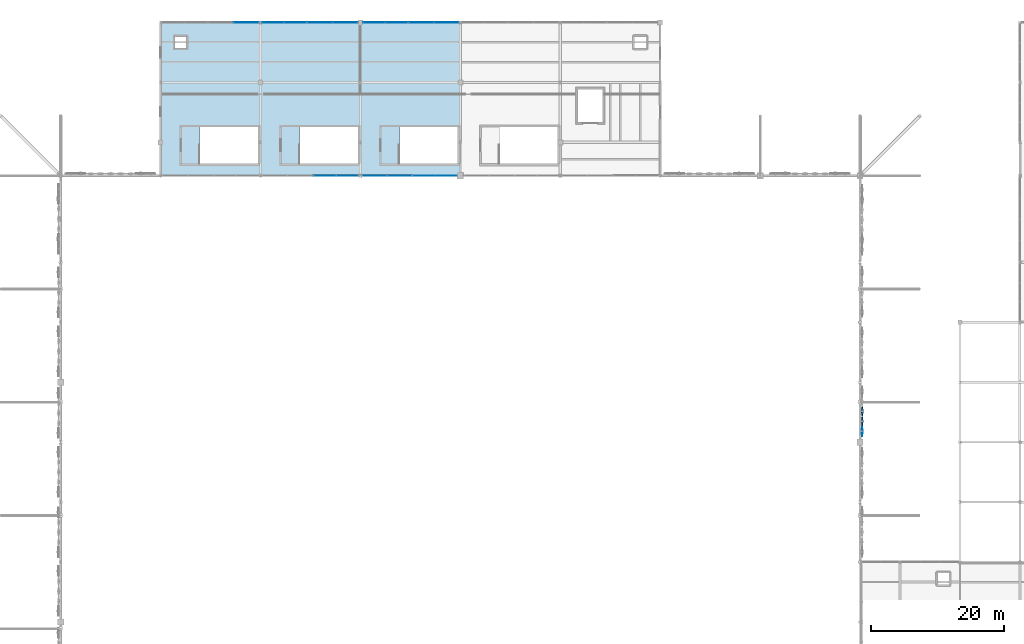
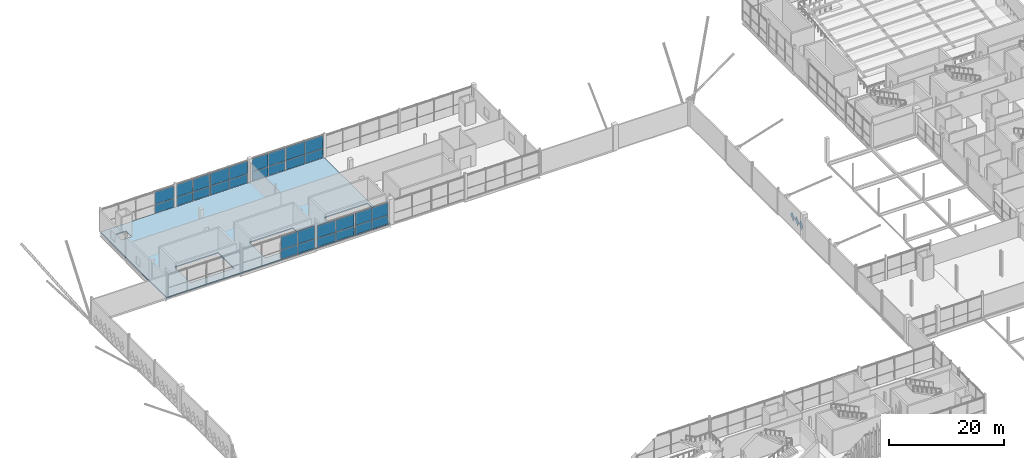
# One storey, part 74 of 119: 33 plates, 1 slab, 8 elements without a shape of their own.
"""IFC4 building model written with IfcOpenShell, lengths in metres."""

import ifcopenshell
import ifcopenshell.guid

model = None  # the IFC model being written
_history = None  # IfcOwnerHistory: only IFC2X3 demands one
_inside = {}  # id of a spatial element -> (the spatial element, [elements in it])
_under = {}  # id of a project, library or spatial element -> (it, [spatial elements below it])
_declared = {}  # id of a project -> (the project, [libraries it declares])
_typed = {}  # id of a type object -> (the type object, [elements of that type])
_made_of = {}  # id of a material, layer set ... -> (it, [elements and type objects made of it])


def new_model(schema):
    """Start an empty IFC model of exactly this schema.

    Asked for "IFC4X3", IfcOpenShell would pick the latest addendum, in which some entities
    have other attributes; the version numbers below select the first issue.
    IFC2X3 requires an IfcOwnerHistory on every rooted entity: one is made here for all.
    """
    global model, _history
    if schema == "IFC4X3":
        model = ifcopenshell.file(schema_version=(4, 3, 0, 0))
    else:
        model = ifcopenshell.file(schema=schema)
    _inside.clear()
    _under.clear()
    _declared.clear()
    _typed.clear()
    _made_of.clear()
    _history = None
    if model.schema == "IFC2X3":
        org = make("IfcOrganization", Name="unknown")
        user = make(
            "IfcPersonAndOrganization",
            ThePerson=make("IfcPerson", FamilyName="unknown"),
            TheOrganization=org,
        )
        app = make(
            "IfcApplication",
            ApplicationDeveloper=org,
            Version="unknown",
            ApplicationFullName="unknown",
            ApplicationIdentifier="unknown",
        )
        _history = make(
            "IfcOwnerHistory",
            OwningUser=user,
            OwningApplication=app,
            ChangeAction="ADDED",
            CreationDate=0,
        )
    return model


def make(cls, **values):
    """One entity of the class cls with the attributes given. An attribute that is None is left unset."""
    return model.create_entity(
        cls, **{name: value for name, value in values.items() if value is not None}
    )


def rooted(cls, **values):
    """An entity with a GlobalId (a new one), such as an element, a storey or a relation."""
    return make(cls, GlobalId=ifcopenshell.guid.new(), OwnerHistory=_history, **values)


def si_unit(unit_type, name, prefix=None):
    """IfcSIUnit, for example si_unit("LENGTHUNIT", "METRE", prefix="MILLI")."""
    return make("IfcSIUnit", UnitType=unit_type, Prefix=prefix, Name=name)


def assignment(units):
    """IfcUnitAssignment: the units of a project."""
    return None if units is None else make("IfcUnitAssignment", Units=units)


def point(xyz):
    """IfcCartesianPoint."""
    return None if xyz is None else make("IfcCartesianPoint", Coordinates=xyz)


def direction(xyz):
    """IfcDirection."""
    return None if xyz is None else make("IfcDirection", DirectionRatios=xyz)


def frame(location, z_axis=None, x_axis=None):
    """IfcAxis2Placement3D, a coordinate frame: its origin and axes. An axis left out is left unset."""
    return make(
        "IfcAxis2Placement3D",
        Location=point(location),
        Axis=direction(z_axis),
        RefDirection=direction(x_axis),
    )


def frame_2d(location, x_axis=None):
    """IfcAxis2Placement2D, a coordinate frame in the plane: its origin and x axis."""
    return make(
        "IfcAxis2Placement2D", Location=point(location), RefDirection=direction(x_axis)
    )


def origin():
    """The frame at (0, 0, 0) with its axes left unset."""
    return frame((0.0, 0.0, 0.0))


def origin_2d():
    """The frame at (0, 0) in the plane with its x axis left unset."""
    return frame_2d((0.0, 0.0))


def place(relative_to, where):
    """IfcLocalPlacement: puts the frame where relative to a parent placement (None: the world)."""
    return make(
        "IfcLocalPlacement", PlacementRelTo=relative_to, RelativePlacement=where
    )


def context(
    kind, dimensions, precision=None, world=None, true_north=None, identifier=None
):
    """IfcGeometricRepresentationContext, for example the 3D "Model" context."""
    return make(
        "IfcGeometricRepresentationContext",
        ContextIdentifier=identifier,
        ContextType=kind,
        CoordinateSpaceDimension=dimensions,
        Precision=precision,
        WorldCoordinateSystem=world,
        TrueNorth=true_north,
    )


def subcontext(parent, identifier, kind, view, scale=None):
    """IfcGeometricRepresentationSubContext, for example "Body" below "Model"."""
    return make(
        "IfcGeometricRepresentationSubContext",
        ContextIdentifier=identifier,
        ContextType=kind,
        ParentContext=parent,
        TargetScale=scale,
        TargetView=view,
    )


def project(units=None, contexts=None):
    """IfcProject with its units and contexts."""
    return rooted(
        "IfcProject",
        Name="project",
        RepresentationContexts=contexts,
        UnitsInContext=assignment(units),
    )


def spatial(cls, under=None, at=None, **own):
    """A site, building, storey or space (cls), placed at a placement, below another one or the project."""
    s = rooted(cls, ObjectPlacement=at, **own)
    if under is not None:
        _under.setdefault(under.id(), (under, []))[1].append(s)
    return s


def polyline(points):
    """IfcPolyline through the points."""
    return make("IfcPolyline", Points=[point(p) for p in points])


def profile(cls, at=None, kind="AREA", **sizes):
    """A parametric profile (cls). Its sizes go by their IFC names, for example OverallWidth=200.0."""
    return make(cls, ProfileType=kind, Position=at, **sizes)


def rectangle(**sizes):
    """IfcRectangleProfileDef."""
    return profile("IfcRectangleProfileDef", **sizes)


def outline(outer, holes=None, kind="AREA"):
    """IfcArbitraryClosedProfileDef: a profile drawn as a closed curve; with holes, ...WithVoids."""
    if holes is None:
        return make("IfcArbitraryClosedProfileDef", ProfileType=kind, OuterCurve=outer)
    return make(
        "IfcArbitraryProfileDefWithVoids",
        ProfileType=kind,
        OuterCurve=outer,
        InnerCurves=holes,
    )


def extrude(swept, where, along, depth):
    """IfcExtrudedAreaSolid: the profile swept, set in the frame where, extruded along a direction by depth."""
    return make(
        "IfcExtrudedAreaSolid",
        SweptArea=swept,
        Position=where,
        ExtrudedDirection=direction(along),
        Depth=depth,
    )


def shape(context_of_items, identifier, shape_type, items):
    """IfcShapeRepresentation: the items that make up one representation, for example the "Body"."""
    return make(
        "IfcShapeRepresentation",
        ContextOfItems=context_of_items,
        RepresentationIdentifier=identifier,
        RepresentationType=shape_type,
        Items=items,
    )


def material(Name=None, Category=None):
    """IfcMaterial."""
    return make("IfcMaterial", Name=Name, Category=Category)


def layer(
    of_material, thickness, ventilated=None, Name=None, Category=None, Priority=None
):
    """IfcMaterialLayer: one layer of a wall or slab, of a material (None: an air gap)."""
    return make(
        "IfcMaterialLayer",
        Material=of_material,
        LayerThickness=thickness,
        IsVentilated=ventilated,
        Name=Name,
        Category=Category,
        Priority=Priority,
    )


def layer_set(layers, Name=None):
    """IfcMaterialLayerSet."""
    return make("IfcMaterialLayerSet", MaterialLayers=layers, LayerSetName=Name)


def made_of(thing, what):
    """Note that an element or type object is made of a material, layer set ...; save() writes the relation."""
    if what is not None:
        _made_of.setdefault(what.id(), (what, []))[1].append(thing)
    return thing


def type_object(cls, material=None, **own):
    """A type object (cls), such as IfcWallType, which elements share."""
    return made_of(rooted(cls, **own), material)


def element(
    cls,
    number,
    at=None,
    inside=None,
    cuts=None,
    type_object=None,
    material=None,
    context=None,
    identifier="Body",
    shape_type=None,
    held_by="IfcProductDefinitionShape",
    body=None,
    shapes=None,
    **own,
):
    """One element of the class cls, such as IfcWall. Its Tag is "e" and its number.

    at: its placement. inside: the storey or other place that contains it. cuts: it is an
    opening in that element (IfcRelVoidsElement). A single representation is given by context,
    identifier, shape_type and body (its items); several are given by shapes. held_by: the class
    of the entity that holds the representations. save() writes the other relations.
    """
    e = rooted(cls, Tag="e%d" % number, ObjectPlacement=at, **own)
    if body is not None:
        shapes = [shape(context, identifier, shape_type, body)]
    if shapes is not None:
        e.Representation = make(held_by, Representations=shapes)
    if inside is not None:
        _inside.setdefault(inside.id(), (inside, []))[1].append(e)
    if cuts is not None:
        rooted(
            "IfcRelVoidsElement", RelatingBuildingElement=cuts, RelatedOpeningElement=e
        )
    if type_object is not None:
        _typed.setdefault(type_object.id(), (type_object, []))[1].append(e)
    return made_of(e, material)


def aggregate(whole, parts):
    """IfcRelAggregates: a whole, such as a stair, and the parts it consists of."""
    return rooted("IfcRelAggregates", RelatingObject=whole, RelatedObjects=parts)


def save(model, path):
    """Write the relations noted so far, then the file.

    IfcRelAggregates (storeys below a building ...), IfcRelContainedInSpatialStructure (elements
    in a storey), IfcRelDefinesByType, IfcRelAssociatesMaterial and IfcRelDeclares: one each for
    every whole, place, type object, material and project.
    """
    for whole, parts in _under.values():
        aggregate(whole, parts)
    for where, things in _inside.values():
        rooted(
            "IfcRelContainedInSpatialStructure",
            RelatedElements=things,
            RelatingStructure=where,
        )
    for kind, things in _typed.values():
        rooted("IfcRelDefinesByType", RelatedObjects=things, RelatingType=kind)
    for what, things in _made_of.values():
        rooted("IfcRelAssociatesMaterial", RelatedObjects=things, RelatingMaterial=what)
    for by, libraries in _declared.values():
        rooted("IfcRelDeclares", RelatingContext=by, RelatedDefinitions=libraries)
    model.write(path)


model = new_model("IFC4")

# Units and contexts
model_context = context("Model", 3, precision=1e-05, world=origin(), true_north=direction((0.0, 1.0)))
body_context = subcontext(model_context, "Body", "Model", "MODEL_VIEW")
ifc_project = project(units=[si_unit("LENGTHUNIT", "METRE"), si_unit("AREAUNIT", "SQUARE_METRE"), si_unit("VOLUMEUNIT", "CUBIC_METRE"), si_unit("PLANEANGLEUNIT", "RADIAN"), si_unit("MASSUNIT", "GRAM", prefix="KILO")], contexts=[model_context])

# Site, building, storey
site_placement = place(None, origin())
site = spatial("IfcSite", under=ifc_project, at=site_placement, CompositionType="ELEMENT")
building_placement = place(site_placement, origin())
building = spatial("IfcBuilding", under=site, at=building_placement, Name="Qamarlyn Nura Convention Centre", CompositionType="ELEMENT")
storey_placement = place(building_placement, frame((0.0, 0.0, 5.39990234375)))
storey = spatial("IfcBuildingStorey", under=building, at=storey_placement, Name="L01", CompositionType="ELEMENT", Elevation=5.39990234375)

# Curtain wall, plates
ifc_material_1 = material(Name="Double-silver low-E insulated glass", Category="glass")
ifc_layer_1 = layer(ifc_material_1, 0.179931640625, Name="CW-UNIT-35")
ifc_layer_set_1 = layer_set([ifc_layer_1], Name="Double-silver low-E insulated glass")
curtain_wall_type_1 = type_object("IfcCurtainWallType", Name="CW-UNIT-35", PredefinedType="NOTDEFINED", material=ifc_layer_set_1)
curtain_wall_1_placement = place(storey_placement, origin())
curtain_wall_1 = element("IfcCurtainWall", 1, at=curtain_wall_1_placement, inside=storey, type_object=curtain_wall_type_1, Name="L01 unitised curtain wall NS-INT-2-1A", PredefinedType="NOTDEFINED")
ifc_layer_2 = layer(ifc_material_1, 0.028076171875, Name="CWP-VIS-28")
ifc_layer_set_2 = layer_set([ifc_layer_2], Name="Double-silver low-E insulated glass")
plate_type_1 = type_object("IfcPlateType", Name="CWP-VIS-28", PredefinedType="CURTAIN_PANEL", material=ifc_layer_set_2)
plate_1_placement = place(storey_placement, frame((43.02978515625, 103.0, 0.0703125), z_axis=(0.0, 0.0, 1.0), x_axis=(-1.0, 0.0, 0.0)))
plate_1 = element("IfcPlate", 2, at=plate_1_placement, type_object=plate_type_1, Name="CW35 panel 1.1", PredefinedType="CURTAIN_PANEL", context=body_context, shape_type="SweptSolid", body=[
    extrude(rectangle(XDim=3.29248046875, YDim=0.028076171875, at=origin_2d()), origin(), (0.0, 0.0, 1.0), 1.948974609375),
])
plate_2_placement = place(storey_placement, frame((43.02978515625, 103.0, 2.089111328125), z_axis=(0.0, 0.0, 1.0), x_axis=(-1.0, 0.0, 0.0)))
plate_2 = element("IfcPlate", 3, at=plate_2_placement, type_object=plate_type_1, Name="CW35 panel 1.2", PredefinedType="CURTAIN_PANEL", context=body_context, shape_type="SweptSolid", body=[
    extrude(rectangle(XDim=3.29248046875, YDim=0.028076171875, at=origin_2d()), origin(), (0.0, 0.0, 1.0), 2.73095703125),
])
plate_3_placement = place(storey_placement, frame((39.667236328125, 103.0, 0.0703125), z_axis=(0.0, 0.0, 1.0), x_axis=(-1.0, 0.0, 0.0)))
plate_3 = element("IfcPlate", 4, at=plate_3_placement, type_object=plate_type_1, Name="CW35 panel 2.1", PredefinedType="CURTAIN_PANEL", context=body_context, shape_type="SweptSolid", body=[
    extrude(rectangle(XDim=3.29248046875, YDim=0.028076171875, at=origin_2d()), origin(), (0.0, 0.0, 1.0), 1.948974609375),
])
plate_4_placement = place(storey_placement, frame((39.667236328125, 103.0, 2.089111328125), z_axis=(0.0, 0.0, 1.0), x_axis=(-1.0, 0.0, 0.0)))
plate_4 = element("IfcPlate", 5, at=plate_4_placement, type_object=plate_type_1, Name="CW35 panel 2.2", PredefinedType="CURTAIN_PANEL", context=body_context, shape_type="SweptSolid", body=[
    extrude(rectangle(XDim=3.29248046875, YDim=0.028076171875, at=origin_2d()), origin(), (0.0, 0.0, 1.0), 2.73095703125),
])
aggregate(curtain_wall_1, [plate_1, plate_2, plate_3, plate_4])

ifc_layer_3 = layer(ifc_material_1, 0.179931640625, Name="CW-UNIT-37")
ifc_layer_set_3 = layer_set([ifc_layer_3], Name="Double-silver low-E insulated glass")
curtain_wall_type_2 = type_object("IfcCurtainWallType", Name="CW-UNIT-37", PredefinedType="NOTDEFINED", material=ifc_layer_set_3)
curtain_wall_2_placement = place(storey_placement, origin())
curtain_wall_2 = element("IfcCurtainWall", 6, at=curtain_wall_2_placement, inside=storey, type_object=curtain_wall_type_2, Name="L01 unitised curtain wall NS-INT-3-1A", PredefinedType="NOTDEFINED")
plate_5_placement = place(storey_placement, frame((57.84326171875, 103.0, 0.06005859375), z_axis=(0.0, 0.0, 1.0), x_axis=(-1.0, 0.0, 0.0)))
plate_5 = element("IfcPlate", 7, at=plate_5_placement, type_object=plate_type_1, Name="CW37 panel 1.1", PredefinedType="CURTAIN_PANEL", context=body_context, shape_type="SweptSolid", body=[
    extrude(rectangle(XDim=3.24365234375, YDim=0.028076171875, at=origin_2d()), origin(), (0.0, 0.0, 1.0), 1.863037109375),
])
plate_6_placement = place(storey_placement, frame((57.84326171875, 103.0, 1.983154296875), z_axis=(0.0, 0.0, 1.0), x_axis=(-1.0, 0.0, 0.0)))
plate_6 = element("IfcPlate", 8, at=plate_6_placement, type_object=plate_type_1, Name="CW37 panel 1.2", PredefinedType="CURTAIN_PANEL", context=body_context, shape_type="SweptSolid", body=[
    extrude(rectangle(XDim=3.24365234375, YDim=0.028076171875, at=origin_2d()), origin(), (0.0, 0.0, 1.0), 2.60791015625),
])
plate_7_placement = place(storey_placement, frame((54.53955078125, 103.0, 0.06005859375), z_axis=(0.0, 0.0, 1.0), x_axis=(-1.0, 0.0, 0.0)))
plate_7 = element("IfcPlate", 9, at=plate_7_placement, type_object=plate_type_1, Name="CW37 panel 2.1", PredefinedType="CURTAIN_PANEL", context=body_context, shape_type="SweptSolid", body=[
    extrude(rectangle(XDim=3.24365234375, YDim=0.028076171875, at=origin_2d()), origin(), (0.0, 0.0, 1.0), 1.863037109375),
])
plate_8_placement = place(storey_placement, frame((54.53955078125, 103.0, 1.983154296875), z_axis=(0.0, 0.0, 1.0), x_axis=(-1.0, 0.0, 0.0)))
plate_8 = element("IfcPlate", 10, at=plate_8_placement, type_object=plate_type_1, Name="CW37 panel 2.2", PredefinedType="CURTAIN_PANEL", context=body_context, shape_type="SweptSolid", body=[
    extrude(rectangle(XDim=3.24365234375, YDim=0.028076171875, at=origin_2d()), origin(), (0.0, 0.0, 1.0), 2.60791015625),
])
aggregate(curtain_wall_2, [plate_5, plate_6, plate_7, plate_8])

ifc_layer_4 = layer(ifc_material_1, 0.179931640625, Name="CW-UNIT-38")
ifc_layer_set_4 = layer_set([ifc_layer_4], Name="Double-silver low-E insulated glass")
curtain_wall_type_3 = type_object("IfcCurtainWallType", Name="CW-UNIT-38", PredefinedType="NOTDEFINED", material=ifc_layer_set_4)
curtain_wall_3_placement = place(storey_placement, origin())
curtain_wall_3 = element("IfcCurtainWall", 11, at=curtain_wall_3_placement, inside=storey, type_object=curtain_wall_type_3, Name="L01 unitised curtain wall NS-INT-3-1B", PredefinedType="NOTDEFINED")
plate_9_placement = place(storey_placement, frame((50.879150390625, 103.0, 0.0703125), z_axis=(0.0, 0.0, 1.0), x_axis=(-1.0, 0.0, 0.0)))
plate_9 = element("IfcPlate", 12, at=plate_9_placement, type_object=plate_type_1, Name="CW38 panel 1.1", PredefinedType="CURTAIN_PANEL", context=body_context, shape_type="SweptSolid", body=[
    extrude(rectangle(XDim=3.65673828125, YDim=0.028076171875, at=origin_2d()), origin(), (0.0, 0.0, 1.0), 1.847900390625),
])
plate_10_placement = place(storey_placement, frame((50.879150390625, 103.0, 1.98828125), z_axis=(0.0, 0.0, 1.0), x_axis=(-1.0, 0.0, 0.0)))
plate_10 = element("IfcPlate", 13, at=plate_10_placement, type_object=plate_type_1, Name="CW38 panel 1.2", PredefinedType="CURTAIN_PANEL", context=body_context, shape_type="SweptSolid", body=[
    extrude(rectangle(XDim=3.65673828125, YDim=0.028076171875, at=origin_2d()), origin(), (0.0, 0.0, 1.0), 2.593017578125),
])
plate_11_placement = place(storey_placement, frame((47.15234375, 103.0, 0.0703125), z_axis=(0.0, 0.0, 1.0), x_axis=(-1.0, 0.0, 0.0)))
plate_11 = element("IfcPlate", 14, at=plate_11_placement, type_object=plate_type_1, Name="CW38 panel 2.1", PredefinedType="CURTAIN_PANEL", context=body_context, shape_type="SweptSolid", body=[
    extrude(rectangle(XDim=3.65673828125, YDim=0.028076171875, at=origin_2d()), origin(), (0.0, 0.0, 1.0), 1.847900390625),
])
plate_12_placement = place(storey_placement, frame((47.15234375, 103.0, 1.98828125), z_axis=(0.0, 0.0, 1.0), x_axis=(-1.0, 0.0, 0.0)))
plate_12 = element("IfcPlate", 15, at=plate_12_placement, type_object=plate_type_1, Name="CW38 panel 2.2", PredefinedType="CURTAIN_PANEL", context=body_context, shape_type="SweptSolid", body=[
    extrude(rectangle(XDim=3.65673828125, YDim=0.028076171875, at=origin_2d()), origin(), (0.0, 0.0, 1.0), 2.593017578125),
])
aggregate(curtain_wall_3, [plate_9, plate_10, plate_11, plate_12])

ifc_layer_5 = layer(ifc_material_1, 0.179931640625, Name="CW-UNIT-45")
ifc_layer_set_5 = layer_set([ifc_layer_5], Name="Double-silver low-E insulated glass")
curtain_wall_type_4 = type_object("IfcCurtainWallType", Name="CW-UNIT-45", PredefinedType="NOTDEFINED", material=ifc_layer_set_5)
curtain_wall_4_placement = place(storey_placement, origin())
curtain_wall_4 = element("IfcCurtainWall", 16, at=curtain_wall_4_placement, inside=storey, type_object=curtain_wall_type_4, Name="L01 unitised curtain wall NS-N2-1A", PredefinedType="NOTDEFINED")
plate_13_placement = place(storey_placement, frame((31.8896484375, 126.0, 0.06494140625), z_axis=(0.0, 0.0, 1.0), x_axis=(1.0, 0.0, 0.0)))
plate_13 = element("IfcPlate", 17, at=plate_13_placement, type_object=plate_type_1, Name="CW45 panel 1.1", PredefinedType="CURTAIN_PANEL", context=body_context, shape_type="SweptSolid", body=[
    extrude(rectangle(XDim=3.275390625, YDim=0.028076171875, at=origin_2d()), origin(), (0.0, 0.0, 1.0), 1.886474609375),
])
plate_14_placement = place(storey_placement, frame((31.8896484375, 126.0, 2.0166015625), z_axis=(0.0, 0.0, 1.0), x_axis=(1.0, 0.0, 0.0)))
plate_14 = element("IfcPlate", 18, at=plate_14_placement, type_object=plate_type_1, Name="CW45 panel 1.2", PredefinedType="CURTAIN_PANEL", context=body_context, shape_type="SweptSolid", body=[
    extrude(rectangle(XDim=3.275390625, YDim=0.028076171875, at=origin_2d()), origin(), (0.0, 0.0, 1.0), 2.642578125),
])
plate_15_placement = place(storey_placement, frame((35.230224609375, 126.0, 0.06494140625), z_axis=(0.0, 0.0, 1.0), x_axis=(1.0, 0.0, 0.0)))
plate_15 = element("IfcPlate", 19, at=plate_15_placement, type_object=plate_type_1, Name="CW45 panel 2.1", PredefinedType="CURTAIN_PANEL", context=body_context, shape_type="SweptSolid", body=[
    extrude(rectangle(XDim=3.275390625, YDim=0.028076171875, at=origin_2d()), origin(), (0.0, 0.0, 1.0), 1.886474609375),
])
plate_16_placement = place(storey_placement, frame((35.230224609375, 126.0, 2.0166015625), z_axis=(0.0, 0.0, 1.0), x_axis=(1.0, 0.0, 0.0)))
plate_16 = element("IfcPlate", 20, at=plate_16_placement, type_object=plate_type_1, Name="CW45 panel 2.2", PredefinedType="CURTAIN_PANEL", context=body_context, shape_type="SweptSolid", body=[
    extrude(rectangle(XDim=3.275390625, YDim=0.028076171875, at=origin_2d()), origin(), (0.0, 0.0, 1.0), 2.642578125),
])
aggregate(curtain_wall_4, [plate_13, plate_14, plate_15, plate_16])

ifc_layer_6 = layer(ifc_material_1, 0.179931640625, Name="CW-UNIT-46")
ifc_layer_set_6 = layer_set([ifc_layer_6], Name="Double-silver low-E insulated glass")
curtain_wall_type_5 = type_object("IfcCurtainWallType", Name="CW-UNIT-46", PredefinedType="NOTDEFINED", material=ifc_layer_set_6)
curtain_wall_5_placement = place(storey_placement, origin())
curtain_wall_5 = element("IfcCurtainWall", 21, at=curtain_wall_5_placement, inside=storey, type_object=curtain_wall_type_5, Name="L01 unitised curtain wall NS-N2-1B", PredefinedType="NOTDEFINED")
plate_17_placement = place(storey_placement, frame((38.930908203125, 126.0, 0.06005859375), z_axis=(0.0, 0.0, 1.0), x_axis=(1.0, 0.0, 0.0)))
plate_17 = element("IfcPlate", 22, at=plate_17_placement, type_object=plate_type_1, Name="CW46 panel 1.1", PredefinedType="CURTAIN_PANEL", context=body_context, shape_type="SweptSolid", body=[
    extrude(rectangle(XDim=3.716064453125, YDim=0.028076171875, at=origin_2d()), origin(), (0.0, 0.0, 1.0), 1.89404296875),
])
plate_18_placement = place(storey_placement, frame((38.930908203125, 126.0, 2.01416015625), z_axis=(0.0, 0.0, 1.0), x_axis=(1.0, 0.0, 0.0)))
plate_18 = element("IfcPlate", 23, at=plate_18_placement, type_object=plate_type_1, Name="CW46 panel 1.2", PredefinedType="CURTAIN_PANEL", context=body_context, shape_type="SweptSolid", body=[
    extrude(rectangle(XDim=3.716064453125, YDim=0.028076171875, at=origin_2d()), origin(), (0.0, 0.0, 1.0), 2.64990234375),
])
plate_19_placement = place(storey_placement, frame((42.70703125, 126.0, 0.06005859375), z_axis=(0.0, 0.0, 1.0), x_axis=(1.0, 0.0, 0.0)))
plate_19 = element("IfcPlate", 24, at=plate_19_placement, type_object=plate_type_1, Name="CW46 panel 2.1", PredefinedType="CURTAIN_PANEL", context=body_context, shape_type="SweptSolid", body=[
    extrude(rectangle(XDim=3.716064453125, YDim=0.028076171875, at=origin_2d()), origin(), (0.0, 0.0, 1.0), 1.89404296875),
])
plate_20_placement = place(storey_placement, frame((42.70703125, 126.0, 2.01416015625), z_axis=(0.0, 0.0, 1.0), x_axis=(1.0, 0.0, 0.0)))
plate_20 = element("IfcPlate", 25, at=plate_20_placement, type_object=plate_type_1, Name="CW46 panel 2.2", PredefinedType="CURTAIN_PANEL", context=body_context, shape_type="SweptSolid", body=[
    extrude(rectangle(XDim=3.716064453125, YDim=0.028076171875, at=origin_2d()), origin(), (0.0, 0.0, 1.0), 2.64990234375),
])
aggregate(curtain_wall_5, [plate_17, plate_18, plate_19, plate_20])

ifc_layer_7 = layer(ifc_material_1, 0.179931640625, Name="CW-UNIT-47")
ifc_layer_set_7 = layer_set([ifc_layer_7], Name="Double-silver low-E insulated glass")
curtain_wall_type_6 = type_object("IfcCurtainWallType", Name="CW-UNIT-47", PredefinedType="NOTDEFINED", material=ifc_layer_set_7)
curtain_wall_6_placement = place(storey_placement, origin())
curtain_wall_6 = element("IfcCurtainWall", 26, at=curtain_wall_6_placement, inside=storey, type_object=curtain_wall_type_6, Name="L01 unitised curtain wall NS-N3-1A", PredefinedType="NOTDEFINED")
plate_21_placement = place(storey_placement, frame((47.078857421875, 126.0, 0.0703125), z_axis=(0.0, 0.0, 1.0), x_axis=(1.0, 0.0, 0.0)))
plate_21 = element("IfcPlate", 27, at=plate_21_placement, type_object=plate_type_1, Name="CW47 panel 1.1", PredefinedType="CURTAIN_PANEL", context=body_context, shape_type="SweptSolid", body=[
    extrude(rectangle(XDim=3.26806640625, YDim=0.028076171875, at=origin_2d()), origin(), (0.0, 0.0, 1.0), 1.948974609375),
])
plate_22_placement = place(storey_placement, frame((47.078857421875, 126.0, 2.089111328125), z_axis=(0.0, 0.0, 1.0), x_axis=(1.0, 0.0, 0.0)))
plate_22 = element("IfcPlate", 28, at=plate_22_placement, type_object=plate_type_1, Name="CW47 panel 1.2", PredefinedType="CURTAIN_PANEL", context=body_context, shape_type="SweptSolid", body=[
    extrude(rectangle(XDim=3.26806640625, YDim=0.028076171875, at=origin_2d()), origin(), (0.0, 0.0, 1.0), 2.73095703125),
])
plate_23_placement = place(storey_placement, frame((50.4169921875, 126.0, 0.0703125), z_axis=(0.0, 0.0, 1.0), x_axis=(1.0, 0.0, 0.0)))
plate_23 = element("IfcPlate", 29, at=plate_23_placement, type_object=plate_type_1, Name="CW47 panel 2.1", PredefinedType="CURTAIN_PANEL", context=body_context, shape_type="SweptSolid", body=[
    extrude(rectangle(XDim=3.26806640625, YDim=0.028076171875, at=origin_2d()), origin(), (0.0, 0.0, 1.0), 1.948974609375),
])
plate_24_placement = place(storey_placement, frame((50.4169921875, 126.0, 2.089111328125), z_axis=(0.0, 0.0, 1.0), x_axis=(1.0, 0.0, 0.0)))
plate_24 = element("IfcPlate", 30, at=plate_24_placement, type_object=plate_type_1, Name="CW47 panel 2.2", PredefinedType="CURTAIN_PANEL", context=body_context, shape_type="SweptSolid", body=[
    extrude(rectangle(XDim=3.26806640625, YDim=0.028076171875, at=origin_2d()), origin(), (0.0, 0.0, 1.0), 2.73095703125),
])
aggregate(curtain_wall_6, [plate_21, plate_22, plate_23, plate_24])

ifc_layer_8 = layer(ifc_material_1, 0.179931640625, Name="CW-UNIT-44")
ifc_layer_set_8 = layer_set([ifc_layer_8], Name="Double-silver low-E insulated glass")
curtain_wall_type_7 = type_object("IfcCurtainWallType", Name="CW-UNIT-44", PredefinedType="NOTDEFINED", material=ifc_layer_set_8)
curtain_wall_7_placement = place(storey_placement, origin())
curtain_wall_7 = element("IfcCurtainWall", 31, at=curtain_wall_7_placement, inside=storey, type_object=curtain_wall_type_7, Name="L01 unitised curtain wall NS-N1-1B", PredefinedType="NOTDEFINED")
ifc_layer_9 = layer(ifc_material_1, 0.031982421875, Name="CWP-VIS-32")
ifc_layer_set_9 = layer_set([ifc_layer_9], Name="Double-silver low-E insulated glass")
plate_type_2 = type_object("IfcPlateType", Name="CWP-VIS-32", PredefinedType="CURTAIN_PANEL", material=ifc_layer_set_9)
plate_25_placement = place(storey_placement, frame((27.863037109375, 126.0, 0.0703125), z_axis=(0.0, 0.0, 1.0), x_axis=(1.0, 0.0, 0.0)))
plate_25 = element("IfcPlate", 32, at=plate_25_placement, type_object=plate_type_2, Name="CW44 panel 2.1", PredefinedType="CURTAIN_PANEL", context=body_context, shape_type="SweptSolid", body=[
    extrude(rectangle(XDim=3.760009765625, YDim=0.031982421875, at=origin_2d()), origin(), (0.0, 0.0, 1.0), 1.847900390625),
])
plate_26_placement = place(storey_placement, frame((27.863037109375, 126.0, 1.98828125), z_axis=(0.0, 0.0, 1.0), x_axis=(1.0, 0.0, 0.0)))
plate_26 = element("IfcPlate", 33, at=plate_26_placement, type_object=plate_type_2, Name="CW44 panel 2.2", PredefinedType="CURTAIN_PANEL", context=body_context, shape_type="SweptSolid", body=[
    extrude(rectangle(XDim=3.760009765625, YDim=0.031982421875, at=origin_2d()), origin(), (0.0, 0.0, 1.0), 2.593017578125),
])
aggregate(curtain_wall_7, [plate_25, plate_26])

ifc_layer_10 = layer(ifc_material_1, 0.179931640625, Name="CW-UNIT-48")
ifc_layer_set_10 = layer_set([ifc_layer_10], Name="Double-silver low-E insulated glass")
curtain_wall_type_8 = type_object("IfcCurtainWallType", Name="CW-UNIT-48", PredefinedType="NOTDEFINED", material=ifc_layer_set_10)
curtain_wall_8_placement = place(storey_placement, origin())
curtain_wall_8 = element("IfcCurtainWall", 34, at=curtain_wall_8_placement, inside=storey, type_object=curtain_wall_type_8, Name="L01 unitised curtain wall NS-N3-1B", PredefinedType="NOTDEFINED")
plate_27_placement = place(storey_placement, frame((54.1201171875, 126.0, 0.065185546875), z_axis=(0.0, 0.0, 1.0), x_axis=(1.0, 0.0, 0.0)))
plate_27 = element("IfcPlate", 35, at=plate_27_placement, type_object=plate_type_2, Name="CW48 panel 1.1", PredefinedType="CURTAIN_PANEL", context=body_context, shape_type="SweptSolid", body=[
    extrude(rectangle(XDim=3.70849609375, YDim=0.031982421875, at=origin_2d()), origin(), (0.0, 0.0, 1.0), 1.95654296875),
])
plate_28_placement = place(storey_placement, frame((54.1201171875, 126.0, 2.08642578125), z_axis=(0.0, 0.0, 1.0), x_axis=(1.0, 0.0, 0.0)))
plate_28 = element("IfcPlate", 36, at=plate_28_placement, type_object=plate_type_2, Name="CW48 panel 1.2", PredefinedType="CURTAIN_PANEL", context=body_context, shape_type="SweptSolid", body=[
    extrude(rectangle(XDim=3.70849609375, YDim=0.031982421875, at=origin_2d()), origin(), (0.0, 0.0, 1.0), 2.738525390625),
])
plate_29_placement = place(storey_placement, frame((57.893798828125, 126.0, 0.065185546875), z_axis=(0.0, 0.0, 1.0), x_axis=(1.0, 0.0, 0.0)))
plate_29 = element("IfcPlate", 37, at=plate_29_placement, type_object=plate_type_2, Name="CW48 panel 2.1", PredefinedType="CURTAIN_PANEL", context=body_context, shape_type="SweptSolid", body=[
    extrude(rectangle(XDim=3.70849609375, YDim=0.031982421875, at=origin_2d()), origin(), (0.0, 0.0, 1.0), 1.95654296875),
])
plate_30_placement = place(storey_placement, frame((57.893798828125, 126.0, 2.08642578125), z_axis=(0.0, 0.0, 1.0), x_axis=(1.0, 0.0, 0.0)))
plate_30 = element("IfcPlate", 38, at=plate_30_placement, type_object=plate_type_2, Name="CW48 panel 2.2", PredefinedType="CURTAIN_PANEL", context=body_context, shape_type="SweptSolid", body=[
    extrude(rectangle(XDim=3.70849609375, YDim=0.031982421875, at=origin_2d()), origin(), (0.0, 0.0, 1.0), 2.738525390625),
])
aggregate(curtain_wall_8, [plate_27, plate_28, plate_29, plate_30])

# Plates
ifc_material_2 = material(Name="White high-albedo PVDF aluminium composite sheet", Category="aluminium")
ifc_layer_11 = layer(ifc_material_2, 0.02392578125, Name="FP-DIAM-03")
ifc_layer_set_11 = layer_set([ifc_layer_11], Name="White high-albedo PVDF aluminium composite sheet")
plate_type_3 = type_object("IfcPlateType", Name="FP-DIAM-03", PredefinedType="SHEET", material=ifc_layer_set_11)
plate_31_placement = place(storey_placement, frame((120.31005859375, 64.635986328125, 1.7001953125), z_axis=(0.998059468659, 0.0, 0.062267945373), x_axis=(0.0, 1.0, 0.0)))
element("IfcPlate", 39, at=plate_31_placement, inside=storey, type_object=plate_type_3, Name="L01 pivoted white diamond facade tile 0177", PredefinedType="SHEET", context=body_context, shape_type="SweptSolid", body=[
    extrude(outline(polyline([(-0.719970703125, 0.0), (0.0, -1.050048828125), (0.719970703125, 0.0), (0.0, 1.050048828125), (-0.719970703125, 0.0)])), origin(), (0.0, 0.0, 1.0), 0.02392578125),
])
ifc_layer_12 = layer(ifc_material_2, 0.0380859375, Name="FP-DIAM-07")
ifc_layer_set_12 = layer_set([ifc_layer_12], Name="White high-albedo PVDF aluminium composite sheet")
plate_type_4 = type_object("IfcPlateType", Name="FP-DIAM-07", PredefinedType="SHEET", material=ifc_layer_set_12)
plate_32_placement = place(storey_placement, frame((120.31005859375, 66.135986328125, 1.7001953125), z_axis=(0.99271534578, 0.0, 0.120483369194), x_axis=(0.0, 1.0, 0.0)))
element("IfcPlate", 40, at=plate_32_placement, inside=storey, type_object=plate_type_4, Name="L01 pivoted white diamond facade tile 0176", PredefinedType="SHEET", context=body_context, shape_type="SweptSolid", body=[
    extrude(outline(polyline([(-0.719970703125, 0.0), (0.0, -1.050048828125), (0.719970703125, 0.0), (0.0, 1.050048828125), (-0.719970703125, 0.0)])), origin(), (0.0, 0.0, 1.0), 0.0380859375),
])
ifc_layer_13 = layer(ifc_material_2, 0.0439453125, Name="FP-DIAM-08")
ifc_layer_set_13 = layer_set([ifc_layer_13], Name="White high-albedo PVDF aluminium composite sheet")
plate_type_5 = type_object("IfcPlateType", Name="FP-DIAM-08", PredefinedType="SHEET", material=ifc_layer_set_13)
plate_33_placement = place(storey_placement, frame((120.31005859375, 67.635986328125, 1.7001953125), z_axis=(0.989776230908, 0.0, 0.142628933706), x_axis=(0.0, 1.0, 0.0)))
element("IfcPlate", 41, at=plate_33_placement, inside=storey, type_object=plate_type_5, Name="L01 pivoted white diamond facade tile 0175", PredefinedType="SHEET", context=body_context, shape_type="SweptSolid", body=[
    extrude(outline(polyline([(-0.719970703125, 0.0), (0.0, -1.050048828125), (0.719970703125, 0.0), (0.0, 1.050048828125), (-0.719970703125, 0.0)])), origin(), (0.0, 0.0, 1.0), 0.0439453125),
])

# Slab
ifc_material_3 = material(Name="Concrete C40/50", Category="concrete")
ifc_layer_14 = layer(ifc_material_3, 0.219970703125, Name="SL-L01")
ifc_layer_set_14 = layer_set([ifc_layer_14], Name="Concrete C40/50")
slab_type = type_object("IfcSlabType", Name="SL-L01", PredefinedType="FLOOR", material=ifc_layer_set_14)
slab_placement = place(storey_placement, frame((0.0, 0.0, -0.219970703125)))
element("IfcSlab", 42, at=slab_placement, inside=storey, type_object=slab_type, Name="L01 floor slab L01-NS1", PredefinedType="FLOOR", context=body_context, shape_type="SweptSolid", body=[
    extrude(outline(polyline([(15.0, 126.0), (60.0, 126.0), (60.0, 103.0), (15.0, 103.0), (15.0, 126.0)]), holes=[polyline([(17.0, 124.0), (17.0, 122.0), (19.0, 122.0), (19.0, 124.0), (17.0, 124.0)]), polyline([(50.860107421875, 104.800048828125), (59.60009765625, 104.800048828125), (59.60009765625, 110.300048828125), (50.860107421875, 110.300048828125), (50.860107421875, 104.800048828125)]), polyline([(35.860107421875, 104.800048828125), (44.60009765625, 104.800048828125), (44.60009765625, 110.300048828125), (35.860107421875, 110.300048828125), (35.860107421875, 104.800048828125)]), polyline([(20.860107421875, 104.800048828125), (29.60009765625, 104.800048828125), (29.60009765625, 110.300048828125), (20.860107421875, 110.300048828125), (20.860107421875, 104.800048828125)])]), origin(), (0.0, 0.0, 1.0), 0.219970703125),
])

save(model, "model.ifc")
